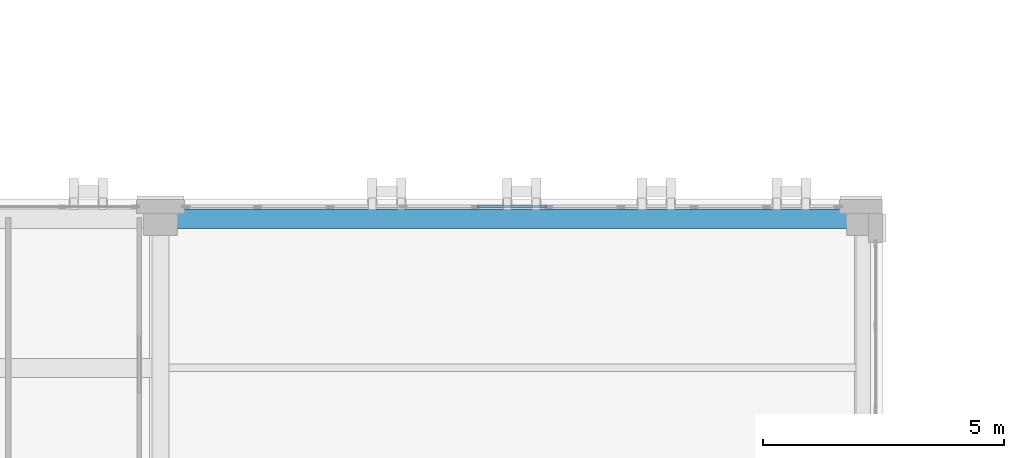
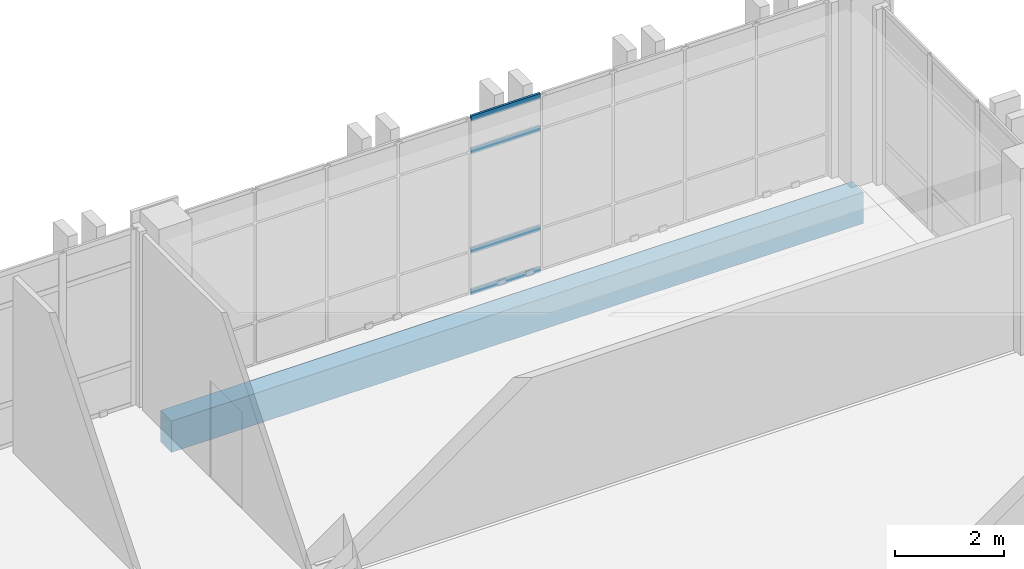
# One storey, part 107 of 165: 4 members, 1 beam, 1 element without a shape of its own.
"""IFC4 building model written with IfcOpenShell, lengths in metres."""

from ifc_helpers import new_model, si_unit, direction, frame, origin, origin_2d, place, context, subcontext, project, spatial, rectangle, hollow_rectangle, extrude, material, layer, layer_set, material_profile, profile_set, type_object, element, aggregate, save


model = new_model("IFC4")

# Units and contexts
model_context = context("Model", 3, precision=1e-05, world=origin(), true_north=direction((0.0, 1.0)))
body_context = subcontext(model_context, "Body", "Model", "MODEL_VIEW")
ifc_project = project(units=[si_unit("LENGTHUNIT", "METRE"), si_unit("AREAUNIT", "SQUARE_METRE"), si_unit("VOLUMEUNIT", "CUBIC_METRE"), si_unit("PLANEANGLEUNIT", "RADIAN"), si_unit("MASSUNIT", "GRAM", prefix="KILO")], contexts=[model_context])

# Site, building, storey
site_placement = place(None, origin())
site = spatial("IfcSite", under=ifc_project, at=site_placement, CompositionType="ELEMENT")
building_placement = place(site_placement, origin())
building = spatial("IfcBuilding", under=site, at=building_placement, Name="Qalavern Law Courts", CompositionType="ELEMENT")
storey_placement = place(building_placement, frame((0.0, 0.0, 14.39990234375)))
storey = spatial("IfcBuildingStorey", under=building, at=storey_placement, Name="L03", CompositionType="ELEMENT", Elevation=14.39990234375)

# Curtain wall, members
ifc_material_1 = material(Name="Anodised aluminium and insulated glazing", Category="aluminium")
ifc_layer = layer(ifc_material_1, 0.172119140625)
ifc_layer_set = layer_set([ifc_layer], Name="Anodised aluminium and insulated glazing")
curtain_wall_type = type_object("IfcCurtainWallType", Name="ENV-CW-COURT", PredefinedType="USERDEFINED", material=ifc_layer_set)
curtain_wall_placement = place(storey_placement, origin())
curtain_wall = element("IfcCurtainWall", 1, at=curtain_wall_placement, inside=storey, type_object=curtain_wall_type, Name="V4 unitised curtain wall L03 north 1", ObjectType="UNITISED CURTAIN WALL", PredefinedType="USERDEFINED")
ifc_material_2 = material(Name="Anodised aluminium", Category="aluminium")
ifc_material_profile_1 = material_profile(ifc_material_2, hollow_rectangle(XDim=0.048095703125, YDim=0.1201171875, WallThickness=0.00390625, at=origin_2d()), Name="ALU TRANSOM 48x120")
ifc_profile_set_1 = profile_set([ifc_material_profile_1], Name="Anodised aluminium")
member_type = type_object("IfcMemberType", Name="ENV-CWT-48x120", PredefinedType="USERDEFINED", material=ifc_profile_set_1)
member_1_placement = place(storey_placement, frame((99.83154296875, 85.652587890625, 0.024169921875), z_axis=(-1.0, 0.0, 0.0), x_axis=(0.0, -1.0, 0.0)))
member_1 = element("IfcMember", 2, at=member_1_placement, type_object=member_type, Name="CW-03 transom 5.1", ObjectType="TRANSOM", PredefinedType="USERDEFINED", context=body_context, shape_type="SweptSolid", body=[
    extrude(hollow_rectangle(XDim=0.048095703125, YDim=0.1201171875, WallThickness=0.00390625, at=origin_2d()), origin(), (0.0, 0.0, 1.0), 1.463134765625),
])
member_2_placement = place(storey_placement, frame((99.83154296875, 85.652587890625, 0.9501953125), z_axis=(-1.0, 0.0, 0.0), x_axis=(0.0, -1.0, 0.0)))
member_2 = element("IfcMember", 3, at=member_2_placement, type_object=member_type, Name="CW-03 transom 5.2", ObjectType="TRANSOM", PredefinedType="USERDEFINED", context=body_context, shape_type="SweptSolid", body=[
    extrude(hollow_rectangle(XDim=0.048095703125, YDim=0.1201171875, WallThickness=0.00390625, at=origin_2d()), origin(), (0.0, 0.0, 1.0), 1.463134765625),
])
member_3_placement = place(storey_placement, frame((99.83154296875, 85.652587890625, 3.170166015625), z_axis=(-1.0, 0.0, 0.0), x_axis=(0.0, -1.0, 0.0)))
member_3 = element("IfcMember", 4, at=member_3_placement, type_object=member_type, Name="CW-03 transom 5.3", ObjectType="TRANSOM", PredefinedType="USERDEFINED", context=body_context, shape_type="SweptSolid", body=[
    extrude(hollow_rectangle(XDim=0.048095703125, YDim=0.1201171875, WallThickness=0.00390625, at=origin_2d()), origin(), (0.0, 0.0, 1.0), 1.463134765625),
])
member_4_placement = place(storey_placement, frame((99.83154296875, 85.652587890625, 3.89599609375), z_axis=(-1.0, 0.0, 0.0), x_axis=(0.0, -1.0, 0.0)))
member_4 = element("IfcMember", 5, at=member_4_placement, type_object=member_type, Name="CW-03 transom 5.4", ObjectType="TRANSOM", PredefinedType="USERDEFINED", context=body_context, shape_type="SweptSolid", body=[
    extrude(hollow_rectangle(XDim=0.048095703125, YDim=0.1201171875, WallThickness=0.00390625, at=origin_2d()), origin(), (0.0, 0.0, 1.0), 1.463134765625),
])
aggregate(curtain_wall, [member_1, member_2, member_3, member_4])

# Beam
ifc_material_3 = material(Name="Concrete C40/50", Category="concrete")
ifc_material_profile_2 = material_profile(ifc_material_3, rectangle(XDim=0.39990234375, YDim=0.699951171875, at=origin_2d()), Name="RC 400x700")
ifc_profile_set_2 = profile_set([ifc_material_profile_2], Name="Concrete C40/50")
beam_type = type_object("IfcBeamType", Name="STR-SP-RC400x700", PredefinedType="SPANDREL", material=ifc_profile_set_2)
beam_placement = place(storey_placement, frame((91.800048828125, 85.39990234375, -0.635009765625), z_axis=(1.0, 0.0, 0.0), x_axis=(0.0, 1.0, 0.0)))
element("IfcBeam", 6, at=beam_placement, inside=storey, type_object=beam_type, Name="V4 X-beam 7-2 L03", PredefinedType="SPANDREL", context=body_context, shape_type="SweptSolid", body=[
    extrude(rectangle(XDim=0.39990234375, YDim=0.699951171875, at=origin_2d()), origin(), (0.0, 0.0, 1.0), 14.599853515625),
])

save(model, "model.ifc")
